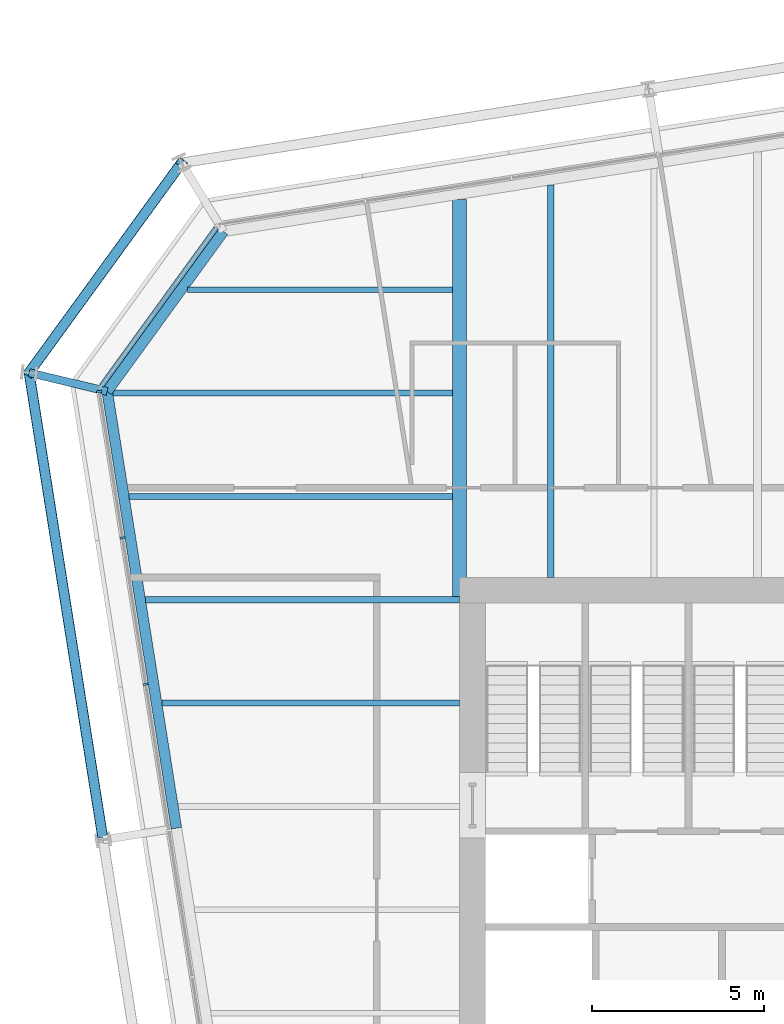
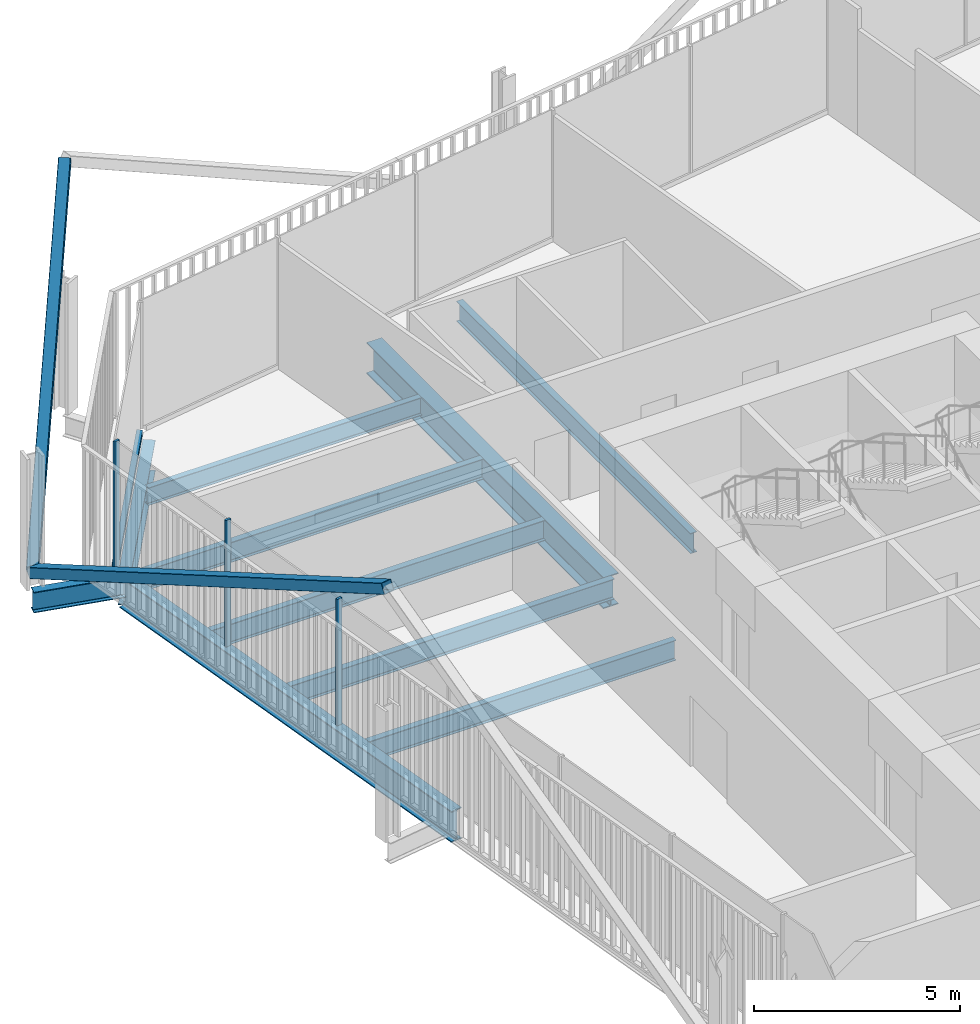
# One storey, part 10 of 22: 10 beams, 6 members, 2 elements without a shape of their own.
"""IFC4 building model written with IfcOpenShell, lengths in metres."""

from ifc_helpers import new_model, si_unit, direction, frame, origin, origin_2d, place, context, subcontext, project, spatial, rectangle, hollow_rectangle, i_section, extrude, material, layer, layer_set, material_profile, profile_set, type_object, element, aggregate, save


model = new_model("IFC4")

# Units and contexts
model_context = context("Model", 3, precision=1e-05, world=origin(), true_north=direction((0.0, 1.0)))
body_context = subcontext(model_context, "Body", "Model", "MODEL_VIEW")
ifc_project = project(units=[si_unit("LENGTHUNIT", "METRE"), si_unit("AREAUNIT", "SQUARE_METRE"), si_unit("VOLUMEUNIT", "CUBIC_METRE"), si_unit("PLANEANGLEUNIT", "RADIAN"), si_unit("MASSUNIT", "GRAM", prefix="KILO")], contexts=[model_context])

# Site, building, storey
site_placement = place(None, origin())
site = spatial("IfcSite", under=ifc_project, at=site_placement, CompositionType="ELEMENT")
building_placement = place(site_placement, origin())
building = spatial("IfcBuilding", under=site, at=building_placement, Name="Millrace Tower", CompositionType="ELEMENT")
storey_placement = place(building_placement, frame((0.0, 0.0, 187.800048828125)))
storey = spatial("IfcBuildingStorey", under=building, at=storey_placement, Name="L42", CompositionType="ELEMENT", Elevation=187.800048828125)

# Curtain wall, members
ifc_material_1 = material(Name="Aluminium and glass", Category="aluminium")
ifc_layer = layer(ifc_material_1, 0.14990234375)
ifc_layer_set = layer_set([ifc_layer], Name="Aluminium and glass")
curtain_wall_type = type_object("IfcCurtainWallType", Name="CW-1 office vision curtain wall", PredefinedType="NOTDEFINED", material=ifc_layer_set)
placement = place(storey_placement, origin())
curtain_wall_1 = element("IfcCurtainWall", 1, at=placement, inside=storey, type_object=curtain_wall_type, Name="Curtain wall C-F08 L42", PredefinedType="NOTDEFINED")
ifc_material_2 = material(Name="Aluminium", Category="aluminium")
ifc_material_profile_1 = material_profile(ifc_material_2, rectangle(XDim=0.06494140625, YDim=0.14990234375, at=origin_2d()))
ifc_profile_set_1 = profile_set([ifc_material_profile_1], Name="Aluminium")
member_type_1 = type_object("IfcMemberType", Name="CW-1 office vision curtain wall mullion", PredefinedType="MULLION", material=ifc_profile_set_1)
member_1_placement = place(storey_placement, frame((-25.106689453125, 15.041748046875, 0.139892578125), z_axis=(0.0, 0.0, 1.0), x_axis=(0.15643447328, -0.98768833929, 0.0)))
member_1 = element("IfcMember", 2, at=member_1_placement, type_object=member_type_1, Name="CW1 mullion C-F08.1", PredefinedType="MULLION", context=body_context, shape_type="SweptSolid", body=[
    extrude(rectangle(XDim=0.06494140625, YDim=0.14990234375, at=origin_2d()), origin(), (0.0, 0.0, 1.0), 3.760009765625),
])
member_2_placement = place(storey_placement, frame((-24.43408203125, 10.794677734375, 0.139892578125), z_axis=(0.0, 0.0, 1.0), x_axis=(0.15643447328, -0.98768833929, 0.0)))
member_2 = element("IfcMember", 3, at=member_2_placement, type_object=member_type_1, Name="CW1 mullion C-F08.2", PredefinedType="MULLION", context=body_context, shape_type="SweptSolid", body=[
    extrude(rectangle(XDim=0.06494140625, YDim=0.14990234375, at=origin_2d()), origin(), (0.0, 0.0, 1.0), 3.760009765625),
])
member_3_placement = place(storey_placement, frame((-23.76123046875, 6.547607421875, 0.139892578125), z_axis=(0.0, 0.0, 1.0), x_axis=(0.15643447328, -0.98768833929, 0.0)))
member_3 = element("IfcMember", 4, at=member_3_placement, type_object=member_type_1, Name="CW1 mullion C-F08.3", PredefinedType="MULLION", context=body_context, shape_type="SweptSolid", body=[
    extrude(rectangle(XDim=0.06494140625, YDim=0.14990234375, at=origin_2d()), origin(), (0.0, 0.0, 1.0), 3.760009765625),
])
aggregate(curtain_wall_1, [member_1, member_2, member_3])

# Curtain wall, member
curtain_wall_2 = element("IfcCurtainWall", 5, at=placement, inside=storey, type_object=curtain_wall_type, Name="Curtain wall C-F07 L42", PredefinedType="NOTDEFINED")
ifc_material_3 = material(Name="Aluminium", Category="aluminium")
ifc_material_profile_2 = material_profile(ifc_material_3, rectangle(XDim=0.14990234375, YDim=0.139892578125, at=origin_2d()))
ifc_profile_set_2 = profile_set([ifc_material_profile_2], Name="Aluminium")
member_type_2 = type_object("IfcMemberType", Name="CW-1 office vision curtain wall transom", PredefinedType="USERDEFINED", material=ifc_profile_set_2)
member_4_placement = place(storey_placement, frame((-21.70751953125, 19.796875, 0.070068359375), z_axis=(-0.587761915215, -0.80903394924, 0.0), x_axis=(0.80903394924, -0.587761915215, 0.0)))
member_4 = element("IfcMember", 6, at=member_4_placement, type_object=member_type_2, Name="CW1 transom C-F07.1", ObjectType="TRANSOM", PredefinedType="USERDEFINED", context=body_context, shape_type="SweptSolid", body=[
    extrude(rectangle(XDim=0.14990234375, YDim=0.139892578125, at=origin_2d()), origin(), (0.0, 0.0, 1.0), 5.6689453125),
])
aggregate(curtain_wall_2, [member_4])

# Members
ifc_material_4 = material(Name="Steel ASTM A500 Grade C", Category="steel")
ifc_material_profile_3 = material_profile(ifc_material_4, hollow_rectangle(XDim=0.3046875, YDim=0.3046875, WallThickness=0.0126953125, InnerFilletRadius=0.00634765625, OuterFilletRadius=0.01904296875, at=origin_2d()))
ifc_profile_set_3 = profile_set([ifc_material_profile_3], Name="Steel ASTM A500 Grade C")
member_type_3 = type_object("IfcMemberType", Name="Exoskeleton brace HSS12x12x1/2", PredefinedType="BRACE", material=ifc_profile_set_3)
member_5_placement = place(storey_placement, frame((-27.142578125, 15.5908203125, 0.39990234375), z_axis=(0.430389097037, 0.592387752691, 0.681059450866), x_axis=(-0.809020759968, 0.587780069364, 0.0)))
element("IfcMember", 7, at=member_5_placement, inside=storey, type_object=member_type_3, Name="BRC-C-L42-13", PredefinedType="BRACE", context=body_context, shape_type="SweptSolid", body=[
    extrude(hollow_rectangle(XDim=0.3046875, YDim=0.3046875, WallThickness=0.0126953125, InnerFilletRadius=0.00634765625, OuterFilletRadius=0.01904296875, at=origin_2d()), origin(), (0.0, 0.0, 1.0), 10.278076171875),
])
member_6_placement = place(storey_placement, frame((-27.142578125, 15.5908203125, 0.39990234375), z_axis=(0.139355372932, -0.879906554943, 0.454251620363), x_axis=(0.987689751328, 0.156425557764, 0.0)))
element("IfcMember", 8, at=member_6_placement, inside=storey, type_object=member_type_3, Name="BRC-C-L42-14", PredefinedType="BRACE", context=body_context, shape_type="SweptSolid", body=[
    extrude(hollow_rectangle(XDim=0.3046875, YDim=0.3046875, WallThickness=0.0126953125, InnerFilletRadius=0.00634765625, OuterFilletRadius=0.01904296875, at=origin_2d()), origin(), (0.0, 0.0, 1.0), 15.409912109375),
])

# Beams
ifc_material_5 = material(Name="Steel ASTM A992 Grade 50", Category="steel")
ifc_material_profile_4 = material_profile(ifc_material_5, i_section(OverallWidth=0.1650390625, OverallDepth=0.52587890625, WebThickness=0.0087890625, FlangeThickness=0.011474609375, FilletRadius=0.0126953125, at=origin_2d()))
ifc_profile_set_4 = profile_set([ifc_material_profile_4], Name="Steel ASTM A992 Grade 50")
beam_type_1 = type_object("IfcBeamType", Name="Floor beam W21x44", PredefinedType="JOIST", material=ifc_profile_set_4)
beam_1_placement = place(storey_placement, frame((-22.540283203125, 18.0, -0.4228515625), z_axis=(1.0, 0.0, 0.0), x_axis=(0.0, 1.0, 0.0)))
element("IfcBeam", 9, at=beam_1_placement, inside=storey, type_object=beam_type_1, Name="BM-C-L42-S1-S035", PredefinedType="JOIST", context=body_context, shape_type="SweptSolid", body=[
    extrude(i_section(OverallWidth=0.1650390625, OverallDepth=0.52587890625, WebThickness=0.0087890625, FlangeThickness=0.011474609375, FilletRadius=0.0126953125, at=origin_2d()), origin(), (0.0, 0.0, 1.0), 7.6806640625),
])
ifc_material_6 = material(Name="Steel ASTM A992 Grade 50", Category="steel")
ifc_material_profile_5 = material_profile(ifc_material_6, i_section(OverallWidth=0.177978515625, OverallDepth=0.599365234375, WebThickness=0.010009765625, FlangeThickness=0.012939453125, FilletRadius=0.012939453125, at=origin_2d()))
ifc_profile_set_5 = profile_set([ifc_material_profile_5], Name="Steel ASTM A992 Grade 50")
beam_type_2 = type_object("IfcBeamType", Name="Floor beam W24x55", PredefinedType="JOIST", material=ifc_profile_set_5)
beam_2_placement = place(storey_placement, frame((-23.28759765625, 6.0, -0.459716796875), z_axis=(1.0, 0.0, 0.0), x_axis=(0.0, 1.0, 0.0)))
element("IfcBeam", 10, at=beam_2_placement, inside=storey, type_object=beam_type_2, Name="BM-C-L42-S1-S026", PredefinedType="JOIST", context=body_context, shape_type="SweptSolid", body=[
    extrude(i_section(OverallWidth=0.177978515625, OverallDepth=0.599365234375, WebThickness=0.010009765625, FlangeThickness=0.012939453125, FilletRadius=0.012939453125, at=origin_2d()), origin(), (0.0, 0.0, 1.0), 8.6376953125),
])
beam_3_placement = place(storey_placement, frame((-23.7626953125, 9.0, -0.459716796875), z_axis=(1.0, 0.0, 0.0), x_axis=(0.0, 1.0, 0.0)))
element("IfcBeam", 11, at=beam_3_placement, inside=storey, type_object=beam_type_2, Name="BM-C-L42-S1-S029", PredefinedType="JOIST", context=body_context, shape_type="SweptSolid", body=[
    extrude(i_section(OverallWidth=0.177978515625, OverallDepth=0.599365234375, WebThickness=0.010009765625, FlangeThickness=0.012939453125, FilletRadius=0.012939453125, at=origin_2d()), origin(), (0.0, 0.0, 1.0), 9.11279296875),
])
beam_4_placement = place(storey_placement, frame((-24.23779296875, 12.0, -0.459716796875), z_axis=(1.0, 0.0, 0.0), x_axis=(0.0, 1.0, 0.0)))
element("IfcBeam", 12, at=beam_4_placement, inside=storey, type_object=beam_type_2, Name="BM-C-L42-S1-S031", PredefinedType="JOIST", context=body_context, shape_type="SweptSolid", body=[
    extrude(i_section(OverallWidth=0.177978515625, OverallDepth=0.599365234375, WebThickness=0.010009765625, FlangeThickness=0.012939453125, FilletRadius=0.012939453125, at=origin_2d()), origin(), (0.0, 0.0, 1.0), 9.378173828125),
])
beam_5_placement = place(storey_placement, frame((-24.712890625, 15.0, -0.459716796875), z_axis=(1.0, 0.0, 0.0), x_axis=(0.0, 1.0, 0.0)))
element("IfcBeam", 13, at=beam_5_placement, inside=storey, type_object=beam_type_2, Name="BM-C-L42-S1-S033", PredefinedType="JOIST", context=body_context, shape_type="SweptSolid", body=[
    extrude(i_section(OverallWidth=0.177978515625, OverallDepth=0.599365234375, WebThickness=0.010009765625, FlangeThickness=0.012939453125, FilletRadius=0.012939453125, at=origin_2d()), origin(), (0.0, 0.0, 1.0), 9.853271484375),
])
ifc_material_7 = material(Name="Steel ASTM A992 Grade 50", Category="steel")
ifc_material_profile_6 = material_profile(ifc_material_7, i_section(OverallWidth=0.1787109375, OverallDepth=0.60205078125, WebThickness=0.010986328125, FlangeThickness=0.014892578125, FilletRadius=0.0126953125, at=origin_2d()))
ifc_profile_set_6 = profile_set([ifc_material_profile_6], Name="Steel ASTM A992 Grade 50")
beam_type_3 = type_object("IfcBeamType", Name="Floor beam W24x62", PredefinedType="JOIST", material=ifc_profile_set_6)
beam_6_placement = place(storey_placement, frame((-12.0, 9.64990234375, -0.4609375), z_axis=(0.0, 1.0, 0.0), x_axis=(-1.0, 0.0, 0.0)))
element("IfcBeam", 14, at=beam_6_placement, inside=storey, type_object=beam_type_3, Name="BM-C-L42-S1-S039", PredefinedType="JOIST", context=body_context, shape_type="SweptSolid", body=[
    extrude(i_section(OverallWidth=0.1787109375, OverallDepth=0.60205078125, WebThickness=0.010986328125, FlangeThickness=0.014892578125, FilletRadius=0.0126953125, at=origin_2d()), origin(), (0.0, 0.0, 1.0), 11.39111328125),
])
ifc_material_8 = material(Name="Steel ASTM A992 Grade 50", Category="steel")
ifc_material_profile_7 = material_profile(ifc_material_8, i_section(OverallWidth=0.419189453125, OverallDepth=0.927001953125, WebThickness=0.019287109375, FlangeThickness=0.031982421875, FilletRadius=0.024169921875, at=origin_2d()))
ifc_profile_set_7 = profile_set([ifc_material_profile_7], Name="Steel ASTM A992 Grade 50")
beam_type_4 = type_object("IfcBeamType", Name="Girder short span W36x231", PredefinedType="BEAM", material=ifc_profile_set_7)
beam_7_placement = place(storey_placement, frame((-14.64990234375, 9.090087890625, -0.62353515625), z_axis=(0.0, 1.0, 0.0), x_axis=(-1.0, 0.0, 0.0)))
element("IfcBeam", 15, at=beam_7_placement, inside=storey, type_object=beam_type_4, Name="BM-C-L42-S1-G057", PredefinedType="BEAM", context=body_context, shape_type="SweptSolid", body=[
    extrude(i_section(OverallWidth=0.419189453125, OverallDepth=0.927001953125, WebThickness=0.019287109375, FlangeThickness=0.031982421875, FilletRadius=0.024169921875, at=origin_2d()), origin(), (0.0, 0.0, 1.0), 11.523193359375),
])
ifc_material_9 = material(Name="Steel ASTM A992 Grade 50", Category="steel")
ifc_material_profile_8 = material_profile(ifc_material_9, i_section(OverallWidth=0.23046875, OverallDepth=0.6171875, WebThickness=0.01318359375, FlangeThickness=0.022216796875, FilletRadius=0.012939453125, at=origin_2d()))
ifc_profile_set_8 = profile_set([ifc_material_profile_8], Name="Steel ASTM A992 Grade 50")
beam_type_5 = type_object("IfcBeamType", Name="Link beam W24x94", PredefinedType="BEAM", material=ifc_profile_set_8)
beam_8_placement = place(storey_placement, frame((-24.8759765625, 15.046630859375, -0.46875), z_axis=(-0.972367333652, 0.233456138164, 0.0), x_axis=(-0.233456138164, -0.972367333652, 0.0)))
element("IfcBeam", 16, at=beam_8_placement, inside=storey, type_object=beam_type_5, Name="LNK-C-L42-S1-04", PredefinedType="BEAM", context=body_context, shape_type="SweptSolid", body=[
    extrude(i_section(OverallWidth=0.23046875, OverallDepth=0.6171875, WebThickness=0.01318359375, FlangeThickness=0.022216796875, FilletRadius=0.012939453125, at=origin_2d()), origin(), (0.0, 0.0, 1.0), 2.3310546875),
])
ifc_material_10 = material(Name="Steel ASTM A992 Grade 50", Category="steel")
ifc_material_profile_9 = material_profile(ifc_material_10, i_section(OverallWidth=0.307373046875, OverallDepth=0.927001953125, WebThickness=0.01953125, FlangeThickness=0.031982421875, FilletRadius=0.01904296875, at=origin_2d()))
ifc_profile_set_9 = profile_set([ifc_material_profile_9], Name="Steel ASTM A992 Grade 50")
beam_type_6 = type_object("IfcBeamType", Name="Ring beam medium span W36x194", PredefinedType="SPANDREL", material=ifc_profile_set_9)
beam_9_placement = place(storey_placement, frame((-22.867919921875, 2.368408203125, -0.62353515625), z_axis=(-0.156436246498, 0.987688058438, 0.0), x_axis=(-0.987688058438, -0.156436246498, 0.0)))
element("IfcBeam", 17, at=beam_9_placement, inside=storey, type_object=beam_type_6, Name="RNG-C-L42-S1-03", PredefinedType="SPANDREL", context=body_context, shape_type="SweptSolid", body=[
    extrude(i_section(OverallWidth=0.307373046875, OverallDepth=0.927001953125, WebThickness=0.01953125, FlangeThickness=0.031982421875, FilletRadius=0.01904296875, at=origin_2d()), origin(), (0.0, 0.0, 1.0), 12.836181640625),
])
ifc_material_11 = material(Name="Steel ASTM A992 Grade 50", Category="steel")
ifc_material_profile_10 = material_profile(ifc_material_11, i_section(OverallWidth=0.307373046875, OverallDepth=0.927001953125, WebThickness=0.01953125, FlangeThickness=0.031982421875, FilletRadius=0.01904296875, at=origin_2d()))
ifc_profile_set_10 = profile_set([ifc_material_profile_10], Name="Steel ASTM A992 Grade 50")
beam_type_7 = type_object("IfcBeamType", Name="Ring beam short span W36x194", PredefinedType="SPANDREL", material=ifc_profile_set_10)
beam_10_placement = place(storey_placement, frame((-24.8759765625, 15.046630859375, -0.62353515625), z_axis=(0.587787348381, 0.809015471473, 0.0), x_axis=(-0.809015471473, 0.587787348381, 0.0)))
element("IfcBeam", 18, at=beam_10_placement, inside=storey, type_object=beam_type_7, Name="RNG-C-L42-S1-04", PredefinedType="SPANDREL", context=body_context, shape_type="SweptSolid", body=[
    extrude(i_section(OverallWidth=0.307373046875, OverallDepth=0.927001953125, WebThickness=0.01953125, FlangeThickness=0.031982421875, FilletRadius=0.01904296875, at=origin_2d()), origin(), (0.0, 0.0, 1.0), 5.741943359375),
])

save(model, "model.ifc")
